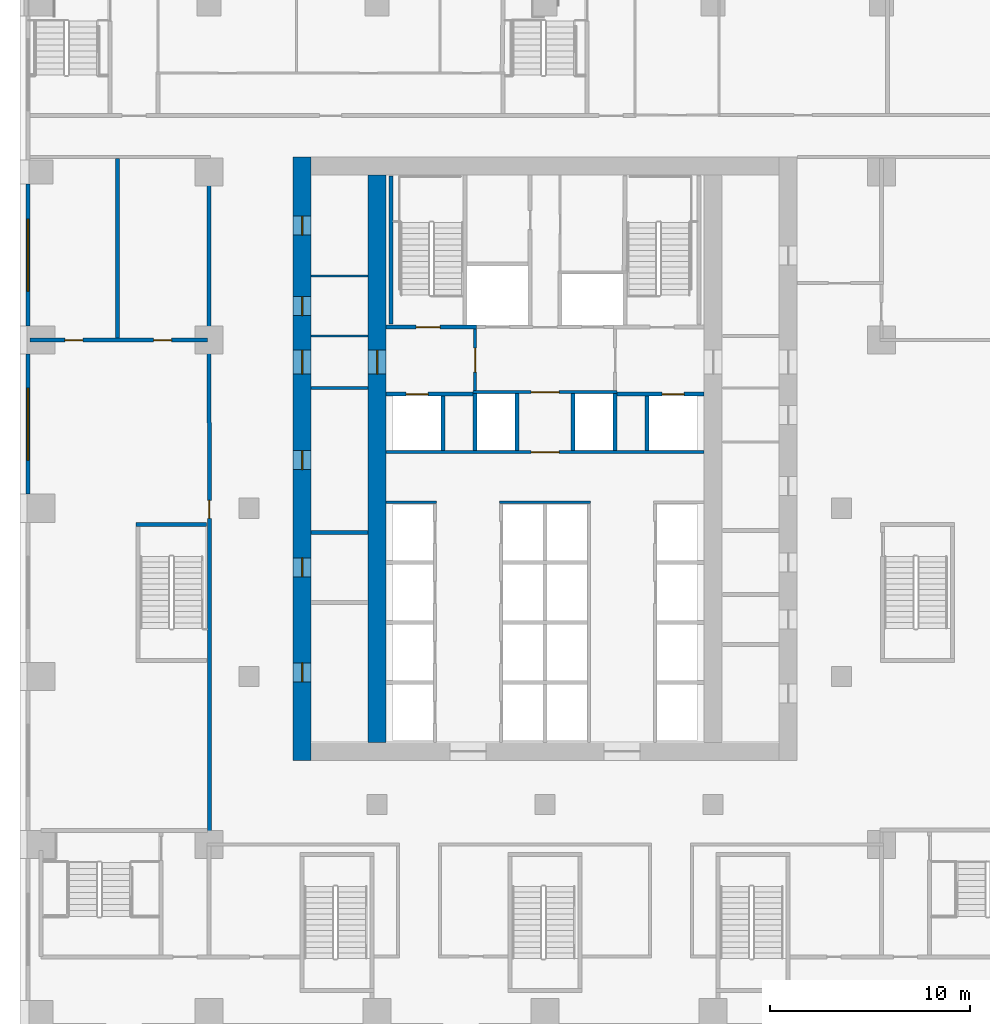
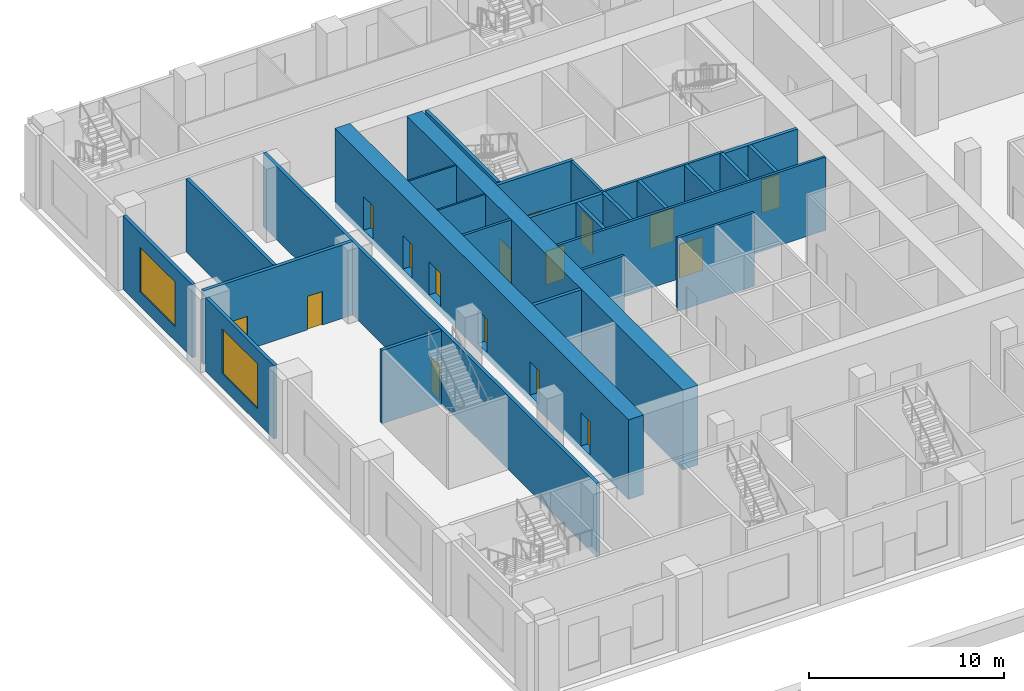
# One storey, part 6 of 21: 27 walls, 16 doors, 2 windows, 18 openings.
"""IFC4 building model written with IfcOpenShell, lengths in metres."""

from ifc_helpers import new_model, si_unit, direction, frame, frame_2d, origin, place, context, subcontext, project, spatial, rectangle, extrude, material, layer, layer_set, type_object, element, fill, save


model = new_model("IFC4")

# Units and contexts
model_context = context("Model", 3, precision=1e-05, world=origin(), true_north=direction((0.0, 1.0)))
body_context = subcontext(model_context, "Body", "Model", "MODEL_VIEW")
ifc_project = project(units=[si_unit("LENGTHUNIT", "METRE"), si_unit("AREAUNIT", "SQUARE_METRE"), si_unit("VOLUMEUNIT", "CUBIC_METRE"), si_unit("PLANEANGLEUNIT", "RADIAN"), si_unit("MASSUNIT", "GRAM", prefix="KILO")], contexts=[model_context])

# Site, building, storey
site_placement = place(None, origin())
site = spatial("IfcSite", under=ifc_project, at=site_placement, CompositionType="ELEMENT")
building_placement = place(site_placement, origin())
building = spatial("IfcBuilding", under=site, at=building_placement, Name="Vermilion Ogive Tower", CompositionType="ELEMENT")
storey_placement = place(building_placement, frame((0.0, 0.0, 25.0)))
storey = spatial("IfcBuildingStorey", under=building, at=storey_placement, Name="L04", CompositionType="ELEMENT", Elevation=25.0)

# Wall, openings, doors
ifc_material_1 = material(Name="Concrete B80", Category="concrete")
ifc_layer_1 = layer(ifc_material_1, 0.89990234375)
ifc_layer_set_1 = layer_set([ifc_layer_1], Name="Core wall 900 B80")
wall_type_1 = type_object("IfcWallType", Name="Core wall 900 B80", PredefinedType="SHEAR", material=ifc_layer_set_1)
wall_1_placement = place(storey_placement, frame((-12.14990234375, -8.39990234375, -0.39990234375), z_axis=(0.0, 0.0, 1.0), x_axis=(0.0, 1.0, 0.0)))
wall_1 = element("IfcWall", 1, at=wall_1_placement, inside=storey, type_object=wall_type_1, Name="L04-CORE-W", PredefinedType="SHEAR", context=body_context, shape_type="SweptSolid", body=[
    extrude(rectangle(XDim=30.14990234375, YDim=0.89990234375, at=frame_2d((15.074951171875, 0.0))), origin(), (0.0, 0.0, 1.0), 5.0),
])
opening_1_placement = place(wall_1_placement, frame((3.925048828125, 0.0, 0.39990234375)))
opening_1 = element("IfcOpeningElement", 2, at=opening_1_placement, cuts=wall_1, Name="Opening DAK023", PredefinedType="OPENING", context=body_context, shape_type="SweptSolid", body=[
    extrude(rectangle(XDim=0.949951171875, YDim=2.10009765625, at=frame_2d((0.47509765625, 1.050048828125))), frame((0.0, 0.4599609375, 0.0), z_axis=(0.0, -1.0, 0.0), x_axis=(1.0, 0.0, 0.0)), (0.0, 0.0, 1.0), 0.919921875),
])
opening_2_placement = place(wall_1_placement, frame((9.175048828125, 0.0, 0.39990234375)))
opening_2 = element("IfcOpeningElement", 3, at=opening_2_placement, cuts=wall_1, Name="Opening DAK024", PredefinedType="OPENING", context=body_context, shape_type="SweptSolid", body=[
    extrude(rectangle(XDim=0.949951171875, YDim=2.10009765625, at=frame_2d((0.47509765625, 1.050048828125))), frame((0.0, 0.4599609375, 0.0), z_axis=(0.0, -1.0, 0.0), x_axis=(1.0, 0.0, 0.0)), (0.0, 0.0, 1.0), 0.919921875),
])
opening_3_placement = place(wall_1_placement, frame((14.52490234375, 0.0, 0.39990234375)))
opening_3 = element("IfcOpeningElement", 4, at=opening_3_placement, cuts=wall_1, Name="Opening DAK025", PredefinedType="OPENING", context=body_context, shape_type="SweptSolid", body=[
    extrude(rectangle(XDim=0.949951171875, YDim=2.10009765625, at=frame_2d((0.47509765625, 1.050048828125))), frame((0.0, 0.4599609375, 0.0), z_axis=(0.0, -1.0, 0.0), x_axis=(1.0, 0.0, 0.0)), (0.0, 0.0, 1.0), 0.919921875),
])
opening_4_placement = place(wall_1_placement, frame((22.22509765625, 0.0, 0.39990234375)))
opening_4 = element("IfcOpeningElement", 5, at=opening_4_placement, cuts=wall_1, Name="Opening DAK026", PredefinedType="OPENING", context=body_context, shape_type="SweptSolid", body=[
    extrude(rectangle(XDim=0.949951171875, YDim=2.10009765625, at=frame_2d((0.47509765625, 1.050048828125))), frame((0.0, 0.4599609375, 0.0), z_axis=(0.0, -1.0, 0.0), x_axis=(1.0, 0.0, 0.0)), (0.0, 0.0, 1.0), 0.919921875),
])
opening_5_placement = place(wall_1_placement, frame((26.25, 0.0, 0.39990234375)))
opening_5 = element("IfcOpeningElement", 6, at=opening_5_placement, cuts=wall_1, Name="Opening DAK027", PredefinedType="OPENING", context=body_context, shape_type="SweptSolid", body=[
    extrude(rectangle(XDim=0.949951171875, YDim=2.10009765625, at=frame_2d((0.47509765625, 1.050048828125))), frame((0.0, 0.4599609375, 0.0), z_axis=(0.0, -1.0, 0.0), x_axis=(1.0, 0.0, 0.0)), (0.0, 0.0, 1.0), 0.919921875),
])
opening_6_placement = place(wall_1_placement, frame((19.300048828125, 0.0, 0.39990234375)))
opening_6 = element("IfcOpeningElement", 7, at=opening_6_placement, cuts=wall_1, Name="Opening DBB005", PredefinedType="OPENING", context=body_context, shape_type="SweptSolid", body=[
    extrude(rectangle(XDim=1.199951171875, YDim=2.10009765625, at=frame_2d((0.60009765625, 1.050048828125))), frame((0.0, 0.4599609375, 0.0), z_axis=(0.0, -1.0, 0.0), x_axis=(1.0, 0.0, 0.0)), (0.0, 0.0, 1.0), 0.919921875),
])
ifc_material_2 = material(Name="Timber door leaf", Category="wood")
door_type_1 = type_object("IfcDoorType", Name="Link door 1200 x 2100 FD60S", OperationType="SINGLE_SWING_LEFT", PredefinedType="DOOR", material=ifc_material_2)
door_1_placement = place(opening_6_placement, origin())
door_1 = element("IfcDoor", 8, at=door_1_placement, inside=storey, type_object=door_type_1, Name="L04-CKW-XL", OperationType="SINGLE_SWING_LEFT", OverallHeight=2.10009765625, OverallWidth=1.199951171875, PredefinedType="DOOR", context=body_context, shape_type="SweptSolid", body=[
    extrude(rectangle(XDim=1.199951171875, YDim=2.10009765625, at=frame_2d((0.60009765625, 1.050048828125))), frame((0.0, 0.02490234375, 0.0), z_axis=(0.0, -1.0, 0.0), x_axis=(1.0, 0.0, 0.0)), (0.0, 0.0, 1.0), 0.050048828125),
])
fill(opening_6, door_1)
ifc_material_3 = material(Name="Timber door leaf", Category="wood")
door_type_2 = type_object("IfcDoorType", Name="Service door 950 x 2100 FD60", OperationType="SINGLE_SWING_LEFT", PredefinedType="DOOR", material=ifc_material_3)
door_2_placement = place(opening_1_placement, origin())
door_2 = element("IfcDoor", 9, at=door_2_placement, inside=storey, type_object=door_type_2, Name="L04-CKW-XR0", OperationType="SINGLE_SWING_LEFT", OverallHeight=2.10009765625, OverallWidth=0.949951171875, PredefinedType="DOOR", context=body_context, shape_type="SweptSolid", body=[
    extrude(rectangle(XDim=0.949951171875, YDim=2.10009765625, at=frame_2d((0.47509765625, 1.050048828125))), frame((0.0, 0.02490234375, 0.0), z_axis=(0.0, -1.0, 0.0), x_axis=(1.0, 0.0, 0.0)), (0.0, 0.0, 1.0), 0.050048828125),
])
fill(opening_1, door_2)
door_3_placement = place(opening_2_placement, origin())
door_3 = element("IfcDoor", 10, at=door_3_placement, inside=storey, type_object=door_type_2, Name="L04-CKW-XR1", OperationType="SINGLE_SWING_LEFT", OverallHeight=2.10009765625, OverallWidth=0.949951171875, PredefinedType="DOOR", context=body_context, shape_type="SweptSolid", body=[
    extrude(rectangle(XDim=0.949951171875, YDim=2.10009765625, at=frame_2d((0.47509765625, 1.050048828125))), frame((0.0, 0.02490234375, 0.0), z_axis=(0.0, -1.0, 0.0), x_axis=(1.0, 0.0, 0.0)), (0.0, 0.0, 1.0), 0.050048828125),
])
fill(opening_2, door_3)
door_4_placement = place(opening_3_placement, origin())
door_4 = element("IfcDoor", 11, at=door_4_placement, inside=storey, type_object=door_type_2, Name="L04-CKW-XR2", OperationType="SINGLE_SWING_LEFT", OverallHeight=2.10009765625, OverallWidth=0.949951171875, PredefinedType="DOOR", context=body_context, shape_type="SweptSolid", body=[
    extrude(rectangle(XDim=0.949951171875, YDim=2.10009765625, at=frame_2d((0.47509765625, 1.050048828125))), frame((0.0, 0.02490234375, 0.0), z_axis=(0.0, -1.0, 0.0), x_axis=(1.0, 0.0, 0.0)), (0.0, 0.0, 1.0), 0.050048828125),
])
fill(opening_3, door_4)
door_5_placement = place(opening_4_placement, origin())
door_5 = element("IfcDoor", 12, at=door_5_placement, inside=storey, type_object=door_type_2, Name="L04-CKW-XR3", OperationType="SINGLE_SWING_LEFT", OverallHeight=2.10009765625, OverallWidth=0.949951171875, PredefinedType="DOOR", context=body_context, shape_type="SweptSolid", body=[
    extrude(rectangle(XDim=0.949951171875, YDim=2.10009765625, at=frame_2d((0.47509765625, 1.050048828125))), frame((0.0, 0.02490234375, 0.0), z_axis=(0.0, -1.0, 0.0), x_axis=(1.0, 0.0, 0.0)), (0.0, 0.0, 1.0), 0.050048828125),
])
fill(opening_4, door_5)
door_6_placement = place(opening_5_placement, origin())
door_6 = element("IfcDoor", 13, at=door_6_placement, inside=storey, type_object=door_type_2, Name="L04-CKW-XR4", OperationType="SINGLE_SWING_LEFT", OverallHeight=2.10009765625, OverallWidth=0.949951171875, PredefinedType="DOOR", context=body_context, shape_type="SweptSolid", body=[
    extrude(rectangle(XDim=0.949951171875, YDim=2.10009765625, at=frame_2d((0.47509765625, 1.050048828125))), frame((0.0, 0.02490234375, 0.0), z_axis=(0.0, -1.0, 0.0), x_axis=(1.0, 0.0, 0.0)), (0.0, 0.0, 1.0), 0.050048828125),
])
fill(opening_5, door_6)

# Wall, opening, door
wall_2_placement = place(storey_placement, frame((-8.39990234375, -7.5, -0.39990234375), z_axis=(0.0, 0.0, 1.0), x_axis=(0.0, 1.0, 0.0)))
wall_2 = element("IfcWall", 14, at=wall_2_placement, inside=storey, type_object=wall_type_1, Name="L04-CORE-WEB1", PredefinedType="SHEAR", context=body_context, shape_type="SweptSolid", body=[
    extrude(rectangle(XDim=28.35009765625, YDim=0.89990234375, at=frame_2d((14.175048828125, 0.0))), origin(), (0.0, 0.0, 1.0), 5.0),
])
opening_7_placement = place(wall_2_placement, frame((18.39990234375, 0.0, 0.39990234375)))
opening_7 = element("IfcOpeningElement", 15, at=opening_7_placement, cuts=wall_2, Name="Opening DBD005", PredefinedType="OPENING", context=body_context, shape_type="SweptSolid", body=[
    extrude(rectangle(XDim=1.199951171875, YDim=2.10009765625, at=frame_2d((0.60009765625, 1.050048828125))), frame((0.0, 0.4599609375, 0.0), z_axis=(0.0, -1.0, 0.0), x_axis=(1.0, 0.0, 0.0)), (0.0, 0.0, 1.0), 0.919921875),
])
door_7_placement = place(opening_7_placement, origin())
door_7 = element("IfcDoor", 16, at=door_7_placement, inside=storey, type_object=door_type_1, Name="L04-CKW-XW", OperationType="SINGLE_SWING_LEFT", OverallHeight=2.10009765625, OverallWidth=1.199951171875, PredefinedType="DOOR", context=body_context, shape_type="SweptSolid", body=[
    extrude(rectangle(XDim=1.199951171875, YDim=2.10009765625, at=frame_2d((0.60009765625, 1.050048828125))), frame((0.0, 0.02490234375, 0.0), z_axis=(0.0, -1.0, 0.0), x_axis=(1.0, 0.0, 0.0)), (0.0, 0.0, 1.0), 0.050048828125),
])
fill(opening_7, door_7)

# Walls
ifc_material_4 = material(Name="Gypsum board partition on steel studs", Category="steel")
ifc_layer_2 = layer(ifc_material_4, 0.10009765625)
ifc_layer_set_2 = layer_set([ifc_layer_2], Name="Partition 100 bath")
wall_type_2 = type_object("IfcWallType", Name="Partition 100 bath", PredefinedType="PARTITIONING", material=ifc_layer_set_2)
for number, where, z_axis, x_axis, name in (
    (17, (-11.698974609375, 12.800048828125, 0.0), (0.0, 0.0, 1.0), (1.0, 0.0, 0.0), "L04-CKW-W-W004"),
    (18, (-11.698974609375, 15.800048828125, 0.0), (0.0, 0.0, 1.0), (1.0, 0.0, 0.0), "L04-CKW-W-W005"),
):
    element("IfcWall", number, at=place(storey_placement, frame(where, z_axis=z_axis, x_axis=x_axis)), inside=storey, type_object=wall_type_2, Name=name, PredefinedType="PARTITIONING", context=body_context, shape_type="SweptSolid", body=[
        extrude(rectangle(XDim=2.847900390625, YDim=0.10009765625, at=frame_2d((1.423828125, 0.0))), origin(), (0.0, 0.0, 1.0), 4.60009765625),
    ])
ifc_material_5 = material(Name="Gypsum board partition on steel studs", Category="steel")
ifc_layer_3 = layer(ifc_material_5, 0.14990234375)
ifc_layer_set_3 = layer_set([ifc_layer_3], Name="Partition 150 corridor")
wall_type_3 = type_object("IfcWallType", Name="Partition 150 corridor", PredefinedType="PARTITIONING", material=ifc_layer_set_3)
wall_3_placement = place(storey_placement, frame((-7.948974609375, 4.5, 0.0), z_axis=(0.0, 0.0, 1.0), x_axis=(1.0, 0.0, 0.0)))
element("IfcWall", 19, at=wall_3_placement, inside=storey, type_object=wall_type_3, Name="L04-CK-W-W010", PredefinedType="PARTITIONING", context=body_context, shape_type="SweptSolid", body=[
    extrude(rectangle(XDim=2.52392578125, YDim=0.14990234375, at=frame_2d((1.261962890625, 0.0))), origin(), (0.0, 0.0, 1.0), 4.60009765625),
])
wall_4_placement = place(storey_placement, frame((-2.27490234375, 4.5, 0.0), z_axis=(0.0, 0.0, 1.0), x_axis=(1.0, 0.0, 0.0)))
element("IfcWall", 20, at=wall_4_placement, inside=storey, type_object=wall_type_3, Name="L04-CK-W-W011", PredefinedType="PARTITIONING", context=body_context, shape_type="SweptSolid", body=[
    extrude(rectangle(XDim=4.5498046875, YDim=0.14990234375, at=frame_2d((2.27490234375, 0.0))), origin(), (0.0, 0.0, 1.0), 4.60009765625),
])

# Wall, opening, door
wall_5_placement = place(storey_placement, frame((-7.948974609375, 7.0, 0.0), z_axis=(0.0, 0.0, 1.0), x_axis=(1.0, 0.0, 0.0)))
wall_5 = element("IfcWall", 21, at=wall_5_placement, inside=storey, type_object=wall_type_3, Name="L04-CK-W-W013", PredefinedType="PARTITIONING", context=body_context, shape_type="SweptSolid", body=[
    extrude(rectangle(XDim=15.89794921875, YDim=0.14990234375, at=frame_2d((7.948974609375, 0.0))), origin(), (0.0, 0.0, 1.0), 4.60009765625),
])
opening_8_placement = place(wall_5_placement, frame((7.2490234375, 0.0, 0.0)))
opening_8 = element("IfcOpeningElement", 22, at=opening_8_placement, cuts=wall_5, Name="Opening DAB103", PredefinedType="OPENING", context=body_context, shape_type="SweptSolid", body=[
    extrude(rectangle(XDim=1.39990234375, YDim=2.10009765625, at=frame_2d((0.699951171875, 1.050048828125))), frame((0.0, 0.0849609375, 0.0), z_axis=(0.0, -1.0, 0.0), x_axis=(1.0, 0.0, 0.0)), (0.0, 0.0, 1.0), 0.169921875),
])
ifc_material_6 = material(Name="Timber door leaf", Category="wood")
door_type_3 = type_object("IfcDoorType", Name="Lobby door 1400 x 2100 FD60S", OperationType="SINGLE_SWING_LEFT", PredefinedType="DOOR", material=ifc_material_6)
door_8_placement = place(opening_8_placement, origin())
door_8 = element("IfcDoor", 23, at=door_8_placement, inside=storey, type_object=door_type_3, Name="L04-CK-D-D015", OperationType="SINGLE_SWING_RIGHT", OverallHeight=2.10009765625, OverallWidth=1.39990234375, PredefinedType="DOOR", context=body_context, shape_type="SweptSolid", body=[
    extrude(rectangle(XDim=1.39990234375, YDim=2.10009765625, at=frame_2d((0.699951171875, 1.050048828125))), frame((0.0, 0.02490234375, 0.0), z_axis=(0.0, -1.0, 0.0), x_axis=(1.0, 0.0, 0.0)), (0.0, 0.0, 1.0), 0.050048828125),
])
fill(opening_8, door_8)

wall_6_placement = place(storey_placement, frame((-3.60009765625, 10.0, 0.0), z_axis=(0.0, 0.0, 1.0), x_axis=(1.0, 0.0, 0.0)))
wall_6 = element("IfcWall", 24, at=wall_6_placement, inside=storey, type_object=wall_type_3, Name="L04-CK-W-W016", PredefinedType="PARTITIONING", context=body_context, shape_type="SweptSolid", body=[
    extrude(rectangle(XDim=7.2001953125, YDim=0.14990234375, at=frame_2d((3.60009765625, 0.0))), origin(), (0.0, 0.0, 1.0), 4.60009765625),
])
opening_9_placement = place(wall_6_placement, frame((2.900146484375, 0.0, 0.0)))
opening_9 = element("IfcOpeningElement", 25, at=opening_9_placement, cuts=wall_6, Name="Opening DAB104", PredefinedType="OPENING", context=body_context, shape_type="SweptSolid", body=[
    extrude(rectangle(XDim=1.39990234375, YDim=2.10009765625, at=frame_2d((0.699951171875, 1.050048828125))), frame((0.0, 0.0849609375, 0.0), z_axis=(0.0, -1.0, 0.0), x_axis=(1.0, 0.0, 0.0)), (0.0, 0.0, 1.0), 0.169921875),
])
door_9_placement = place(opening_9_placement, origin())
door_9 = element("IfcDoor", 26, at=door_9_placement, inside=storey, type_object=door_type_3, Name="L04-CK-D-D016", OperationType="SINGLE_SWING_RIGHT", OverallHeight=2.10009765625, OverallWidth=1.39990234375, PredefinedType="DOOR", context=body_context, shape_type="SweptSolid", body=[
    extrude(rectangle(XDim=1.39990234375, YDim=2.10009765625, at=frame_2d((0.699951171875, 1.050048828125))), frame((0.0, 0.02490234375, 0.0), z_axis=(0.0, -1.0, 0.0), x_axis=(1.0, 0.0, 0.0)), (0.0, 0.0, 1.0), 0.050048828125),
])
fill(opening_9, door_9)

wall_7_placement = place(storey_placement, frame((-3.5, 10.074951171875, 0.0), z_axis=(0.0, 0.0, 1.0), x_axis=(0.0, 1.0, 0.0)))
wall_7 = element("IfcWall", 27, at=wall_7_placement, inside=storey, type_object=wall_type_3, Name="L04-CK-W-W026", PredefinedType="PARTITIONING", context=body_context, shape_type="SweptSolid", body=[
    extrude(rectangle(XDim=3.074951171875, YDim=0.14990234375, at=frame_2d((1.53759765625, 0.0))), origin(), (0.0, 0.0, 1.0), 4.60009765625),
])
opening_10_placement = place(wall_7_placement, frame((0.925048828125, 0.0, 0.0)))
opening_10 = element("IfcOpeningElement", 28, at=opening_10_placement, cuts=wall_7, Name="Opening DAB101", PredefinedType="OPENING", context=body_context, shape_type="SweptSolid", body=[
    extrude(rectangle(XDim=1.199951171875, YDim=2.10009765625, at=frame_2d((0.60009765625, 1.050048828125))), frame((0.0, 0.0849609375, 0.0), z_axis=(0.0, -1.0, 0.0), x_axis=(1.0, 0.0, 0.0)), (0.0, 0.0, 1.0), 0.169921875),
])
ifc_material_7 = material(Name="Timber door leaf", Category="wood")
door_type_4 = type_object("IfcDoorType", Name="Lobby door 1200 x 2100 FD60S", OperationType="SINGLE_SWING_LEFT", PredefinedType="DOOR", material=ifc_material_7)
door_10_placement = place(opening_10_placement, origin())
door_10 = element("IfcDoor", 29, at=door_10_placement, inside=storey, type_object=door_type_4, Name="L04-CK-D-D022", OperationType="SINGLE_SWING_RIGHT", OverallHeight=2.10009765625, OverallWidth=1.199951171875, PredefinedType="DOOR", context=body_context, shape_type="SweptSolid", body=[
    extrude(rectangle(XDim=1.199951171875, YDim=2.10009765625, at=frame_2d((0.60009765625, 1.050048828125))), frame((0.0, 0.02490234375, 0.0), z_axis=(0.0, -1.0, 0.0), x_axis=(1.0, 0.0, 0.0)), (0.0, 0.0, 1.0), 0.050048828125),
])
fill(opening_10, door_10)

# Wall
wall_8_placement = place(storey_placement, frame((-11.698974609375, 10.199951171875, 0.0), z_axis=(0.0, 0.0, 1.0), x_axis=(1.0, 0.0, 0.0)))
element("IfcWall", 30, at=wall_8_placement, inside=storey, type_object=wall_type_3, Name="L04-CKW-W-W003", PredefinedType="PARTITIONING", context=body_context, shape_type="SweptSolid", body=[
    extrude(rectangle(XDim=2.847900390625, YDim=0.14990234375, at=frame_2d((1.423828125, 0.0))), origin(), (0.0, 0.0, 1.0), 4.60009765625),
])

# Wall, openings, doors
ifc_material_8 = material(Name="Gypsum board partition on steel studs", Category="steel")
ifc_layer_4 = layer(ifc_material_8, 0.199951171875)
ifc_layer_set_4 = layer_set([ifc_layer_4], Name="Partition 200 party")
wall_type_4 = type_object("IfcWallType", Name="Partition 200 party", PredefinedType="PARTITIONING", material=ifc_layer_set_4)
wall_9_placement = place(storey_placement, frame((-25.75, 12.60009765625, 0.0), z_axis=(0.0, 0.0, 1.0), x_axis=(1.0, 0.0, 0.0)))
wall_9 = element("IfcWall", 31, at=wall_9_placement, inside=storey, type_object=wall_type_4, Name="L04-FS-W-W019", PredefinedType="PARTITIONING", context=body_context, shape_type="SweptSolid", body=[
    extrude(rectangle(XDim=8.875, YDim=0.199951171875, at=frame_2d((4.4375, 0.0))), origin(), (0.0, 0.0, 1.0), 4.60009765625),
])
opening_11_placement = place(wall_9_placement, frame((1.737548828125, 0.0, 0.0)))
opening_11 = element("IfcOpeningElement", 32, at=opening_11_placement, cuts=wall_9, Name="Opening L04S015", PredefinedType="OPENING", context=body_context, shape_type="SweptSolid", body=[
    extrude(rectangle(XDim=0.89990234375, YDim=2.10009765625, at=frame_2d((0.449951171875, 1.050048828125))), frame((0.0, 0.10986328125, 0.0), z_axis=(0.0, -1.0, 0.0), x_axis=(1.0, 0.0, 0.0)), (0.0, 0.0, 1.0), 0.219970703125),
])
opening_12_placement = place(wall_9_placement, frame((6.175048828125, 0.0, 0.0)))
opening_12 = element("IfcOpeningElement", 33, at=opening_12_placement, cuts=wall_9, Name="Opening L04S016", PredefinedType="OPENING", context=body_context, shape_type="SweptSolid", body=[
    extrude(rectangle(XDim=0.89990234375, YDim=2.10009765625, at=frame_2d((0.449951171875, 1.050048828125))), frame((0.0, 0.10986328125, 0.0), z_axis=(0.0, -1.0, 0.0), x_axis=(1.0, 0.0, 0.0)), (0.0, 0.0, 1.0), 0.219970703125),
])
ifc_material_9 = material(Name="Timber door leaf", Category="wood")
door_type_5 = type_object("IfcDoorType", Name="Room door 900 x 2100 FD30", OperationType="SINGLE_SWING_LEFT", PredefinedType="DOOR", material=ifc_material_9)
door_11_placement = place(opening_11_placement, origin())
door_11 = element("IfcDoor", 34, at=door_11_placement, inside=storey, type_object=door_type_5, Name="L04-FS-D-D015", OperationType="SINGLE_SWING_RIGHT", OverallHeight=2.10009765625, OverallWidth=0.89990234375, PredefinedType="DOOR", context=body_context, shape_type="SweptSolid", body=[
    extrude(rectangle(XDim=0.89990234375, YDim=2.10009765625, at=frame_2d((0.449951171875, 1.050048828125))), frame((0.0, 0.02490234375, 0.0), z_axis=(0.0, -1.0, 0.0), x_axis=(1.0, 0.0, 0.0)), (0.0, 0.0, 1.0), 0.050048828125),
])
fill(opening_11, door_11)
door_12_placement = place(opening_12_placement, origin())
door_12 = element("IfcDoor", 35, at=door_12_placement, inside=storey, type_object=door_type_5, Name="L04-FS-D-D016", OperationType="SINGLE_SWING_LEFT", OverallHeight=2.10009765625, OverallWidth=0.89990234375, PredefinedType="DOOR", context=body_context, shape_type="SweptSolid", body=[
    extrude(rectangle(XDim=0.89990234375, YDim=2.10009765625, at=frame_2d((0.449951171875, 1.050048828125))), frame((0.0, 0.02490234375, 0.0), z_axis=(0.0, -1.0, 0.0), x_axis=(1.0, 0.0, 0.0)), (0.0, 0.0, 1.0), 0.050048828125),
])
fill(opening_12, door_12)

# Wall
wall_10_placement = place(storey_placement, frame((-21.375, 12.699951171875, 0.0), z_axis=(0.0, 0.0, 1.0), x_axis=(0.0, 1.0, 0.0)))
element("IfcWall", 36, at=wall_10_placement, inside=storey, type_object=wall_type_4, Name="L04-FS-W-W032", PredefinedType="PARTITIONING", context=body_context, shape_type="SweptSolid", body=[
    extrude(rectangle(XDim=8.97509765625, YDim=0.199951171875, at=frame_2d((4.487548828125, 0.0))), origin(), (0.0, 0.0, 1.0), 4.60009765625),
])

# Wall, opening, door
wall_11_placement = place(storey_placement, frame((-7.948974609375, 9.89990234375, 0.0), z_axis=(0.0, 0.0, 1.0), x_axis=(1.0, 0.0, 0.0)))
wall_11 = element("IfcWall", 37, at=wall_11_placement, inside=storey, type_object=wall_type_4, Name="L04-CK-W-W014", PredefinedType="PARTITIONING", context=body_context, shape_type="SweptSolid", body=[
    extrude(rectangle(XDim=4.348876953125, YDim=0.199951171875, at=frame_2d((2.17431640625, 0.0))), origin(), (0.0, 0.0, 1.0), 4.60009765625),
])
opening_13_placement = place(wall_11_placement, frame((0.9990234375, 0.0, 0.0)))
opening_13 = element("IfcOpeningElement", 38, at=opening_13_placement, cuts=wall_11, Name="Opening DAB112", PredefinedType="OPENING", context=body_context, shape_type="SweptSolid", body=[
    extrude(rectangle(XDim=1.10009765625, YDim=2.10009765625, at=frame_2d((0.550048828125, 1.050048828125))), frame((0.0, 0.10986328125, 0.0), z_axis=(0.0, -1.0, 0.0), x_axis=(1.0, 0.0, 0.0)), (0.0, 0.0, 1.0), 0.219970703125),
])
ifc_material_10 = material(Name="Stainless steel", Category="steel")
door_type_6 = type_object("IfcDoorType", Name="Lift landing door 1100 x 2100", OperationType="SLIDING_TO_LEFT", PredefinedType="DOOR", material=ifc_material_10)
door_13_placement = place(opening_13_placement, origin())
door_13 = element("IfcDoor", 39, at=door_13_placement, inside=storey, type_object=door_type_6, Name="L04-CK-D-D012", OperationType="SLIDING_TO_RIGHT", OverallHeight=2.10009765625, OverallWidth=1.10009765625, PredefinedType="DOOR", context=body_context, shape_type="SweptSolid", body=[
    extrude(rectangle(XDim=1.10009765625, YDim=2.10009765625, at=frame_2d((0.550048828125, 1.050048828125))), frame((0.0, 0.02490234375, 0.0), z_axis=(0.0, -1.0, 0.0), x_axis=(1.0, 0.0, 0.0)), (0.0, 0.0, 1.0), 0.050048828125),
])
fill(opening_13, door_13)

wall_12_placement = place(storey_placement, frame((3.60009765625, 9.89990234375, 0.0), z_axis=(0.0, 0.0, 1.0), x_axis=(1.0, 0.0, 0.0)))
wall_12 = element("IfcWall", 40, at=wall_12_placement, inside=storey, type_object=wall_type_4, Name="L04-CK-W-W015", PredefinedType="PARTITIONING", context=body_context, shape_type="SweptSolid", body=[
    extrude(rectangle(XDim=4.348876953125, YDim=0.199951171875, at=frame_2d((2.17431640625, 0.0))), origin(), (0.0, 0.0, 1.0), 4.60009765625),
])
opening_14_placement = place(wall_12_placement, frame((2.25, 0.0, 0.0)))
opening_14 = element("IfcOpeningElement", 41, at=opening_14_placement, cuts=wall_12, Name="Opening DAB113", PredefinedType="OPENING", context=body_context, shape_type="SweptSolid", body=[
    extrude(rectangle(XDim=1.10009765625, YDim=2.10009765625, at=frame_2d((0.550048828125, 1.050048828125))), frame((0.0, 0.10986328125, 0.0), z_axis=(0.0, -1.0, 0.0), x_axis=(1.0, 0.0, 0.0)), (0.0, 0.0, 1.0), 0.219970703125),
])
door_14_placement = place(opening_14_placement, origin())
door_14 = element("IfcDoor", 42, at=door_14_placement, inside=storey, type_object=door_type_6, Name="L04-CK-D-D014", OperationType="SLIDING_TO_LEFT", OverallHeight=2.10009765625, OverallWidth=1.10009765625, PredefinedType="DOOR", context=body_context, shape_type="SweptSolid", body=[
    extrude(rectangle(XDim=1.10009765625, YDim=2.10009765625, at=frame_2d((0.550048828125, 1.050048828125))), frame((0.0, 0.02490234375, 0.0), z_axis=(0.0, -1.0, 0.0), x_axis=(1.0, 0.0, 0.0)), (0.0, 0.0, 1.0), 0.050048828125),
])
fill(opening_14, door_14)

# Walls
wall_13_placement = place(storey_placement, frame((-5.10009765625, 7.074951171875, 0.0), z_axis=(0.0, 0.0, 1.0), x_axis=(0.0, 1.0, 0.0)))
element("IfcWall", 43, at=wall_13_placement, inside=storey, type_object=wall_type_4, Name="L04-CK-W-W023", PredefinedType="PARTITIONING", context=body_context, shape_type="SweptSolid", body=[
    extrude(rectangle(XDim=2.72509765625, YDim=0.199951171875, at=frame_2d((1.362548828125, 0.0))), origin(), (0.0, 0.0, 1.0), 4.60009765625),
])
for number, where, z_axis, x_axis, name in (
    (44, (-3.5, 7.074951171875, 0.0), (0.0, 0.0, 1.0), (0.0, 1.0, 0.0), "L04-CK-W-W025"),
    (45, (-1.39990234375, 7.074951171875, 0.0), (0.0, 0.0, 1.0), (0.0, 1.0, 0.0), "L04-CK-W-W028"),
    (46, (1.39990234375, 7.074951171875, 0.0), (0.0, 0.0, 1.0), (0.0, 1.0, 0.0), "L04-CK-W-W033"),
    (47, (3.5, 7.074951171875, 0.0), (0.0, 0.0, 1.0), (0.0, 1.0, 0.0), "L04-CK-W-W035"),
):
    element("IfcWall", number, at=place(storey_placement, frame(where, z_axis=z_axis, x_axis=x_axis)), inside=storey, type_object=wall_type_4, Name=name, PredefinedType="PARTITIONING", context=body_context, shape_type="SweptSolid", body=[
        extrude(rectangle(XDim=2.85009765625, YDim=0.199951171875, at=frame_2d((1.425048828125, 0.0))), origin(), (0.0, 0.0, 1.0), 4.60009765625),
    ])
wall_14_placement = place(storey_placement, frame((5.10009765625, 7.074951171875, 0.0), z_axis=(0.0, 0.0, 1.0), x_axis=(0.0, 1.0, 0.0)))
element("IfcWall", 48, at=wall_14_placement, inside=storey, type_object=wall_type_4, Name="L04-CK-W-W039", PredefinedType="PARTITIONING", context=body_context, shape_type="SweptSolid", body=[
    extrude(rectangle(XDim=2.72509765625, YDim=0.199951171875, at=frame_2d((1.362548828125, 0.0))), origin(), (0.0, 0.0, 1.0), 4.60009765625),
])
wall_15_placement = place(storey_placement, frame((-11.698974609375, 3.0, 0.0), z_axis=(0.0, 0.0, 1.0), x_axis=(1.0, 0.0, 0.0)))
element("IfcWall", 49, at=wall_15_placement, inside=storey, type_object=wall_type_4, Name="L04-CKW-W-W002", PredefinedType="PARTITIONING", context=body_context, shape_type="SweptSolid", body=[
    extrude(rectangle(XDim=2.847900390625, YDim=0.199951171875, at=frame_2d((1.423828125, 0.0))), origin(), (0.0, 0.0, 1.0), 4.60009765625),
])

# Wall, opening, door
ifc_material_11 = material(Name="Concrete B60", Category="concrete")
ifc_layer_5 = layer(ifc_material_11, 0.199951171875)
ifc_layer_set_5 = layer_set([ifc_layer_5], Name="Stair shaft wall 200 Concrete B60")
wall_type_5 = type_object("IfcWallType", Name="Stair shaft wall 200 Concrete B60", PredefinedType="SOLIDWALL", material=ifc_layer_set_5)
wall_16_placement = place(storey_placement, frame((-16.775146484375, -12.52490234375, 0.0), z_axis=(0.0, 0.0, 1.0), x_axis=(-0.000727609751, 0.999999735292, 0.0)))
wall_16 = element("IfcWall", 50, at=wall_16_placement, inside=storey, type_object=wall_type_5, Name="L04-FS-W-W037", PredefinedType="SOLIDWALL", context=body_context, shape_type="SweptSolid", body=[
    extrude(rectangle(XDim=34.224853515625, YDim=0.199951171875, at=frame_2d((17.1123046875, 0.0))), origin(), (0.0, 0.0, 1.0), 4.60009765625),
])
opening_15_placement = place(wall_16_placement, frame((16.224853515625, 0.0, 0.0)))
opening_15 = element("IfcOpeningElement", 51, at=opening_15_placement, cuts=wall_16, Name="Opening L04S014", PredefinedType="OPENING", context=body_context, shape_type="SweptSolid", body=[
    extrude(rectangle(XDim=0.89990234375, YDim=2.10009765625, at=frame_2d((0.449951171875, 1.050048828125))), frame((0.0, 0.10986328125, 0.0), z_axis=(0.0, -1.0, 0.0), x_axis=(1.0, 0.0, 0.0)), (0.0, 0.0, 1.0), 0.219970703125),
])
door_15_placement = place(opening_15_placement, origin())
door_15 = element("IfcDoor", 52, at=door_15_placement, inside=storey, type_object=door_type_5, Name="L04-FS-D-D014", OperationType="SINGLE_SWING_LEFT", OverallHeight=2.10009765625, OverallWidth=0.89990234375, PredefinedType="DOOR", context=body_context, shape_type="SweptSolid", body=[
    extrude(rectangle(XDim=0.89990234375, YDim=2.10009765625, at=frame_2d((0.449951171875, 1.050048828125))), frame((0.0, 0.02490234375, 0.0), z_axis=(0.0, -1.0, 0.0), x_axis=(1.0, 0.0, 0.0)), (0.0, 0.0, 1.0), 0.050048828125),
])
fill(opening_15, door_15)

wall_17_placement = place(storey_placement, frame((-7.948974609375, 13.25, 0.0), z_axis=(0.0, 0.0, 1.0), x_axis=(1.0, 0.0, 0.0)))
wall_17 = element("IfcWall", 53, at=wall_17_placement, inside=storey, type_object=wall_type_5, Name="L04-CK-W-W017", PredefinedType="SOLIDWALL", context=body_context, shape_type="SweptSolid", body=[
    extrude(rectangle(XDim=4.52392578125, YDim=0.199951171875, at=frame_2d((2.261962890625, 0.0))), origin(), (0.0, 0.0, 1.0), 4.60009765625),
])
opening_16_placement = place(wall_17_placement, frame((1.4990234375, 0.0, 0.0)))
opening_16 = element("IfcOpeningElement", 54, at=opening_16_placement, cuts=wall_17, Name="Opening DAB108", PredefinedType="OPENING", context=body_context, shape_type="SweptSolid", body=[
    extrude(rectangle(XDim=1.199951171875, YDim=2.10009765625, at=frame_2d((0.60009765625, 1.050048828125))), frame((0.0, 0.10986328125, 0.0), z_axis=(0.0, -1.0, 0.0), x_axis=(1.0, 0.0, 0.0)), (0.0, 0.0, 1.0), 0.219970703125),
])
ifc_material_12 = material(Name="Timber door leaf", Category="wood")
door_type_7 = type_object("IfcDoorType", Name="Stair door 1200 x 2100 FD60S", OperationType="SINGLE_SWING_LEFT", PredefinedType="DOOR", material=ifc_material_12)
door_16_placement = place(opening_16_placement, origin())
door_16 = element("IfcDoor", 55, at=door_16_placement, inside=storey, type_object=door_type_7, Name="L04-CK-D-D011", OperationType="SINGLE_SWING_LEFT", OverallHeight=2.10009765625, OverallWidth=1.199951171875, PredefinedType="DOOR", context=body_context, shape_type="SweptSolid", body=[
    extrude(rectangle(XDim=1.199951171875, YDim=2.10009765625, at=frame_2d((0.60009765625, 1.050048828125))), frame((0.0, 0.02490234375, 0.0), z_axis=(0.0, -1.0, 0.0), x_axis=(1.0, 0.0, 0.0)), (0.0, 0.0, 1.0), 0.050048828125),
])
fill(opening_16, door_16)

# Walls
wall_18_placement = place(storey_placement, frame((-20.449951171875, 3.39990234375, 0.0), z_axis=(0.0, 0.0, 1.0), x_axis=(1.0, 0.0, 0.0)))
element("IfcWall", 56, at=wall_18_placement, inside=storey, type_object=wall_type_5, Name="L04-SW-ST9-N1", PredefinedType="SOLIDWALL", context=body_context, shape_type="SweptSolid", body=[
    extrude(rectangle(XDim=3.52490234375, YDim=0.199951171875, at=frame_2d((1.762451171875, 0.0))), origin(), (0.0, 0.0, 1.0), 4.60009765625),
])
wall_19_placement = place(storey_placement, frame((-7.699951171875, 13.39990234375, 0.0), z_axis=(0.0, 0.0, 1.0), x_axis=(0.0, 1.0, 0.0)))
element("IfcWall", 57, at=wall_19_placement, inside=storey, type_object=wall_type_5, Name="L04-SW-R023-W1", PredefinedType="SOLIDWALL", context=body_context, shape_type="SweptSolid", body=[
    extrude(rectangle(XDim=7.400146484375, YDim=0.199951171875, at=frame_2d((3.7001953125, 0.0))), origin(), (0.0, 0.0, 1.0), 4.60009765625),
])

# Wall, opening, window
ifc_material_13 = material(Name="Aluminium window wall framing", Category="aluminium")
ifc_layer_6 = layer(ifc_material_13, 0.199951171875)
ifc_layer_set_6 = layer_set([ifc_layer_6], Name="Window wall")
wall_type_6 = type_object("IfcWallType", Name="Window wall", PredefinedType="STANDARD", material=ifc_layer_set_6)
wall_20_placement = place(storey_placement, frame((-25.85009765625, 20.39990234375, 0.0), z_axis=(0.0, 0.0, 1.0), x_axis=(0.0, -1.0, 0.0)))
wall_20 = element("IfcWall", 58, at=wall_20_placement, inside=storey, type_object=wall_type_6, Name="Window wall W2", PredefinedType="STANDARD", context=body_context, shape_type="SweptSolid", body=[
    extrude(rectangle(XDim=7.099853515625, YDim=0.199951171875, at=frame_2d((3.5498046875, 0.0))), origin(), (0.0, 0.0, 1.0), 4.60009765625),
])
opening_17_placement = place(wall_20_placement, frame((1.75, 0.0, 0.89990234375)))
opening_17 = element("IfcOpeningElement", 59, at=opening_17_placement, cuts=wall_20, Name="Opening P-W2", PredefinedType="OPENING", context=body_context, shape_type="SweptSolid", body=[
    extrude(rectangle(XDim=3.60009765625, YDim=2.800048828125, at=frame_2d((1.800048828125, 1.39990234375))), frame((0.0, 0.10986328125, 0.0), z_axis=(0.0, -1.0, 0.0), x_axis=(1.0, 0.0, 0.0)), (0.0, 0.0, 1.0), 0.219970703125),
])
ifc_material_14 = material(Name="Aluminium framed double glazing", Category="aluminium")
window_type = type_object("IfcWindowType", Name="Podium window P 3600x2800 sill 900", PartitioningType="SINGLE_PANEL", PredefinedType="WINDOW", material=ifc_material_14)
window_1_placement = place(opening_17_placement, origin())
window_1 = element("IfcWindow", 60, at=window_1_placement, inside=storey, type_object=window_type, Name="Window W2", OverallHeight=2.800048828125, OverallWidth=3.60009765625, PartitioningType="SINGLE_PANEL", PredefinedType="WINDOW", context=body_context, shape_type="SweptSolid", body=[
    extrude(rectangle(XDim=3.60009765625, YDim=2.800048828125, at=frame_2d((1.800048828125, 1.39990234375))), frame((0.0, 0.030029296875, 0.0), z_axis=(0.0, -1.0, 0.0), x_axis=(1.0, 0.0, 0.0)), (0.0, 0.0, 1.0), 0.06005859375),
])
fill(opening_17, window_1)

wall_21_placement = place(storey_placement, frame((-25.85009765625, 11.89990234375, 0.0), z_axis=(0.0, 0.0, 1.0), x_axis=(0.0, -1.0, 0.0)))
wall_21 = element("IfcWall", 61, at=wall_21_placement, inside=storey, type_object=wall_type_6, Name="Window wall W3", PredefinedType="STANDARD", context=body_context, shape_type="SweptSolid", body=[
    extrude(rectangle(XDim=7.0, YDim=0.199951171875, at=frame_2d((3.5, 0.0))), origin(), (0.0, 0.0, 1.0), 4.60009765625),
])
opening_18_placement = place(wall_21_placement, frame((1.699951171875, 0.0, 0.89990234375)))
opening_18 = element("IfcOpeningElement", 62, at=opening_18_placement, cuts=wall_21, Name="Opening P-W3", PredefinedType="OPENING", context=body_context, shape_type="SweptSolid", body=[
    extrude(rectangle(XDim=3.60009765625, YDim=2.800048828125, at=frame_2d((1.800048828125, 1.39990234375))), frame((0.0, 0.10986328125, 0.0), z_axis=(0.0, -1.0, 0.0), x_axis=(1.0, 0.0, 0.0)), (0.0, 0.0, 1.0), 0.219970703125),
])
window_2_placement = place(opening_18_placement, origin())
window_2 = element("IfcWindow", 63, at=window_2_placement, inside=storey, type_object=window_type, Name="Window W3", OverallHeight=2.800048828125, OverallWidth=3.60009765625, PartitioningType="SINGLE_PANEL", PredefinedType="WINDOW", context=body_context, shape_type="SweptSolid", body=[
    extrude(rectangle(XDim=3.60009765625, YDim=2.800048828125, at=frame_2d((1.800048828125, 1.39990234375))), frame((0.0, 0.030029296875, 0.0), z_axis=(0.0, -1.0, 0.0), x_axis=(1.0, 0.0, 0.0)), (0.0, 0.0, 1.0), 0.06005859375),
])
fill(opening_18, window_2)

save(model, "model.ifc")
